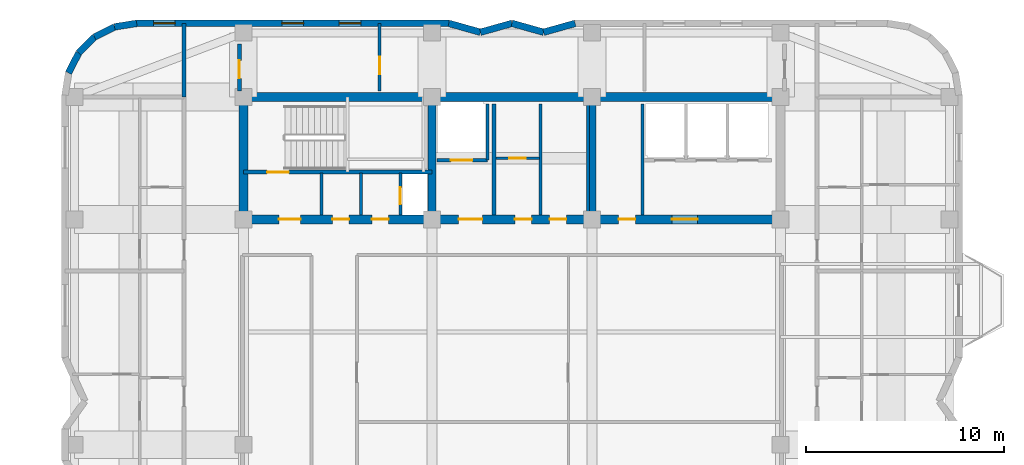
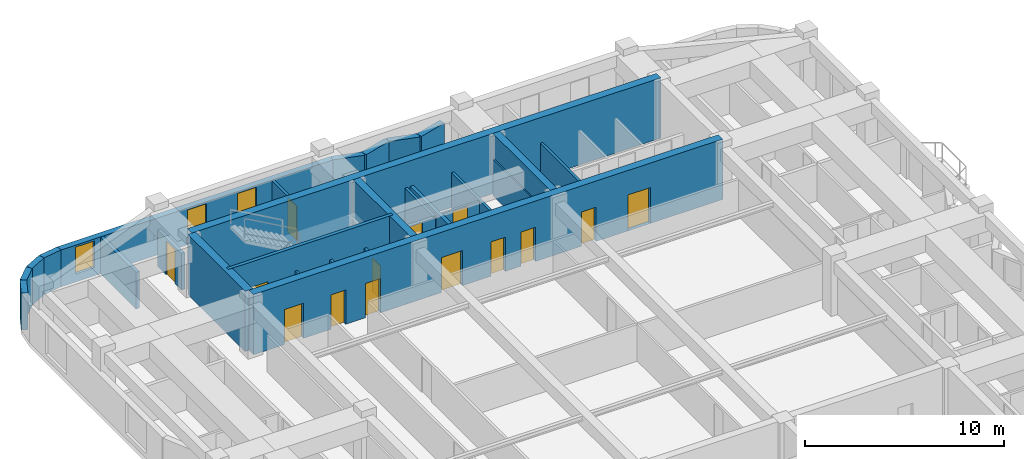
# One storey, part 6 of 9: 28 walls, 14 doors, 3 windows, 17 openings.
"""IFC4 building model written with IfcOpenShell, lengths in metres."""

from ifc_helpers import new_model, si_unit, direction, frame, frame_2d, origin, place, context, subcontext, project, spatial, rectangle, extrude, material, layer, layer_set, type_object, element, fill, save


model = new_model("IFC4")

# Units and contexts
model_context = context("Model", 3, precision=1e-05, world=origin(), true_north=direction((0.0, 1.0)))
body_context = subcontext(model_context, "Body", "Model", "MODEL_VIEW")
ifc_project = project(units=[si_unit("LENGTHUNIT", "METRE"), si_unit("AREAUNIT", "SQUARE_METRE"), si_unit("VOLUMEUNIT", "CUBIC_METRE"), si_unit("PLANEANGLEUNIT", "RADIAN"), si_unit("MASSUNIT", "GRAM", prefix="KILO")], contexts=[model_context])

# Site, building, storey
site_placement = place(None, origin())
site = spatial("IfcSite", under=ifc_project, at=site_placement, CompositionType="ELEMENT")
building_placement = place(site_placement, origin())
building = spatial("IfcBuilding", under=site, at=building_placement, Name="Svetorya Sky Lyceum", CompositionType="ELEMENT")
storey_placement = place(building_placement, frame((0.0, 0.0, 222.10009765625)))
storey = spatial("IfcBuildingStorey", under=building, at=storey_placement, Name="L55", CompositionType="ELEMENT", Elevation=222.10009765625)

# Walls
ifc_material_1 = material(Name="Concrete C40/50", Category="concrete")
ifc_layer_1 = layer(ifc_material_1, 0.39990234375)
ifc_layer_set_1 = layer_set([ifc_layer_1], Name="Concrete C40/50")
wall_type_1 = type_object("IfcWallType", Name="WL-CORE-400", PredefinedType="SHEAR", material=ifc_layer_set_1)
for number, where, z_axis, x_axis, name in (
    (1, (35.14990234375, 39.824951171875, 0.0), (0.0, 0.0, 1.0), (0.0, 1.0, 0.0), "L55 NC Internal Shear Web WEB1"),
    (2, (43.25, 39.824951171875, 0.0), (0.0, 0.0, 1.0), (0.0, 1.0, 0.0), "L55 NC Internal Shear Web WEB2"),
):
    element("IfcWall", number, at=place(storey_placement, frame(where, z_axis=z_axis, x_axis=x_axis)), inside=storey, type_object=wall_type_1, Name=name, PredefinedType="SHEAR", context=body_context, shape_type="SweptSolid", body=[
        extrude(rectangle(XDim=5.75, YDim=0.39990234375, at=frame_2d((2.875, 0.0))), origin(), (0.0, 0.0, 1.0), 3.699951171875),
    ])
ifc_material_2 = material(Name="Concrete C50/60", Category="concrete")
ifc_layer_2 = layer(ifc_material_2, 0.449951171875)
ifc_layer_set_2 = layer_set([ifc_layer_2], Name="Concrete C50/60")
wall_type_2 = type_object("IfcWallType", Name="WL-CORE-450", PredefinedType="SHEAR", material=ifc_layer_set_2)
wall_1_placement = place(storey_placement, frame((25.60009765625, 45.800048828125, 0.0), z_axis=(0.0, 0.0, 1.0), x_axis=(1.0, 0.0, 0.0)))
element("IfcWall", 3, at=wall_1_placement, inside=storey, type_object=wall_type_2, Name="L55 NC Outer Core Shear Wall", PredefinedType="SHEAR", context=body_context, shape_type="SweptSolid", body=[
    extrude(rectangle(XDim=27.199951171875, YDim=0.449951171875, at=frame_2d((13.60009765625, 0.0))), origin(), (0.0, 0.0, 1.0), 3.699951171875),
])
wall_2_placement = place(storey_placement, frame((25.60009765625, 39.824951171875, 0.0), z_axis=(0.0, 0.0, 1.0), x_axis=(0.0, 1.0, 0.0)))
element("IfcWall", 4, at=wall_2_placement, inside=storey, type_object=wall_type_2, Name="L55 NC West Core Shear Wall", PredefinedType="SHEAR", context=body_context, shape_type="SweptSolid", body=[
    extrude(rectangle(XDim=5.75, YDim=0.449951171875, at=frame_2d((2.875, 0.0))), origin(), (0.0, 0.0, 1.0), 3.699951171875),
])

# Wall, openings, doors
wall_3_placement = place(storey_placement, frame((52.800048828125, 39.60009765625, 0.0), z_axis=(0.0, 0.0, 1.0), x_axis=(-1.0, 0.0, 0.0)))
wall_3 = element("IfcWall", 5, at=wall_3_placement, inside=storey, type_object=wall_type_2, Name="L55 NC Inner Core Shear Wall", PredefinedType="SHEAR", context=body_context, shape_type="SweptSolid", body=[
    extrude(rectangle(XDim=27.199951171875, YDim=0.449951171875, at=frame_2d((13.60009765625, 0.0))), origin(), (0.0, 0.0, 1.0), 3.699951171875),
])
opening_1_placement = place(wall_3_placement, frame((24.300048828125, 0.0, 0.0)))
opening_1 = element("IfcOpeningElement", 6, at=opening_1_placement, cuts=wall_3, Name="Opening D-ST1", PredefinedType="OPENING", context=body_context, shape_type="SweptSolid", body=[
    extrude(rectangle(XDim=1.10009765625, YDim=2.14990234375, at=frame_2d((0.550048828125, 1.074951171875))), frame((0.0, 0.23486328125, 0.0), z_axis=(0.0, -1.0, 0.0), x_axis=(1.0, 0.0, 0.0)), (0.0, 0.0, 1.0), 0.469970703125),
])
opening_2_placement = place(wall_3_placement, frame((21.85009765625, 0.0, 0.0)))
opening_2 = element("IfcOpeningElement", 7, at=opening_2_placement, cuts=wall_3, Name="Opening D-CWC1", PredefinedType="OPENING", context=body_context, shape_type="SweptSolid", body=[
    extrude(rectangle(XDim=0.85009765625, YDim=2.10009765625, at=frame_2d((0.425048828125, 1.050048828125))), frame((0.0, 0.23486328125, 0.0), z_axis=(0.0, -1.0, 0.0), x_axis=(1.0, 0.0, 0.0)), (0.0, 0.0, 1.0), 0.469970703125),
])
opening_3_placement = place(wall_3_placement, frame((19.85009765625, 0.0, 0.0)))
opening_3 = element("IfcOpeningElement", 8, at=opening_3_placement, cuts=wall_3, Name="Opening D-CWC1", PredefinedType="OPENING", context=body_context, shape_type="SweptSolid", body=[
    extrude(rectangle(XDim=0.85009765625, YDim=2.10009765625, at=frame_2d((0.425048828125, 1.050048828125))), frame((0.0, 0.23486328125, 0.0), z_axis=(0.0, -1.0, 0.0), x_axis=(1.0, 0.0, 0.0)), (0.0, 0.0, 1.0), 0.469970703125),
])
opening_4_placement = place(wall_3_placement, frame((15.10009765625, 0.0, 0.0)))
opening_4 = element("IfcOpeningElement", 9, at=opening_4_placement, cuts=wall_3, Name="Opening D-FL1", PredefinedType="OPENING", context=body_context, shape_type="SweptSolid", body=[
    extrude(rectangle(XDim=1.199951171875, YDim=2.14990234375, at=frame_2d((0.60009765625, 1.074951171875))), frame((0.0, 0.23486328125, 0.0), z_axis=(0.0, -1.0, 0.0), x_axis=(1.0, 0.0, 0.0)), (0.0, 0.0, 1.0), 0.469970703125),
])
opening_5_placement = place(wall_3_placement, frame((12.60009765625, 0.0, 0.0)))
opening_5 = element("IfcOpeningElement", 10, at=opening_5_placement, cuts=wall_3, Name="Opening D-CWC1", PredefinedType="OPENING", context=body_context, shape_type="SweptSolid", body=[
    extrude(rectangle(XDim=0.85009765625, YDim=2.10009765625, at=frame_2d((0.425048828125, 1.050048828125))), frame((0.0, 0.23486328125, 0.0), z_axis=(0.0, -1.0, 0.0), x_axis=(1.0, 0.0, 0.0)), (0.0, 0.0, 1.0), 0.469970703125),
])
opening_6_placement = place(wall_3_placement, frame((10.85009765625, 0.0, 0.0)))
opening_6 = element("IfcOpeningElement", 11, at=opening_6_placement, cuts=wall_3, Name="Opening D-CWC1", PredefinedType="OPENING", context=body_context, shape_type="SweptSolid", body=[
    extrude(rectangle(XDim=0.85009765625, YDim=2.10009765625, at=frame_2d((0.425048828125, 1.050048828125))), frame((0.0, 0.23486328125, 0.0), z_axis=(0.0, -1.0, 0.0), x_axis=(1.0, 0.0, 0.0)), (0.0, 0.0, 1.0), 0.469970703125),
])
opening_7_placement = place(wall_3_placement, frame((7.35009765625, 0.0, 0.0)))
opening_7 = element("IfcOpeningElement", 12, at=opening_7_placement, cuts=wall_3, Name="Opening D-CWC1", PredefinedType="OPENING", context=body_context, shape_type="SweptSolid", body=[
    extrude(rectangle(XDim=0.85009765625, YDim=2.10009765625, at=frame_2d((0.425048828125, 1.050048828125))), frame((0.0, 0.23486328125, 0.0), z_axis=(0.0, -1.0, 0.0), x_axis=(1.0, 0.0, 0.0)), (0.0, 0.0, 1.0), 0.469970703125),
])
opening_8_placement = place(wall_3_placement, frame((4.199951171875, 0.0, 0.0)))
opening_8 = element("IfcOpeningElement", 13, at=opening_8_placement, cuts=wall_3, Name="Opening D-LB1", PredefinedType="OPENING", context=body_context, shape_type="SweptSolid", body=[
    extrude(rectangle(XDim=1.300048828125, YDim=2.199951171875, at=frame_2d((0.64990234375, 1.10009765625))), frame((0.0, 0.23486328125, 0.0), z_axis=(0.0, -1.0, 0.0), x_axis=(1.0, 0.0, 0.0)), (0.0, 0.0, 1.0), 0.469970703125),
])
ifc_material_3 = material(Name="Fire-rated galvanized steel core service closet door", Category="steel")
door_type_1 = type_object("IfcDoorType", Name="DR-CWET-850", OperationType="SINGLE_SWING_LEFT", PredefinedType="DOOR", material=ifc_material_3)
door_1_placement = place(opening_2_placement, origin())
door_1 = element("IfcDoor", 14, at=door_1_placement, inside=storey, type_object=door_type_1, Name="L55 North Cleaner Door", OperationType="SINGLE_SWING_RIGHT", OverallHeight=2.10009765625, OverallWidth=0.85009765625, PredefinedType="DOOR", context=body_context, shape_type="SweptSolid", body=[
    extrude(rectangle(XDim=0.85009765625, YDim=2.10009765625, at=frame_2d((0.425048828125, 1.050048828125))), frame((0.0, 0.02490234375, 0.0), z_axis=(0.0, -1.0, 0.0), x_axis=(1.0, 0.0, 0.0)), (0.0, 0.0, 1.0), 0.050048828125),
])
fill(opening_2, door_1)
door_2_placement = place(opening_3_placement, origin())
door_2 = element("IfcDoor", 15, at=door_2_placement, inside=storey, type_object=door_type_1, Name="L55 North Meter Door", OperationType="SINGLE_SWING_LEFT", OverallHeight=2.10009765625, OverallWidth=0.85009765625, PredefinedType="DOOR", context=body_context, shape_type="SweptSolid", body=[
    extrude(rectangle(XDim=0.85009765625, YDim=2.10009765625, at=frame_2d((0.425048828125, 1.050048828125))), frame((0.0, 0.02490234375, 0.0), z_axis=(0.0, -1.0, 0.0), x_axis=(1.0, 0.0, 0.0)), (0.0, 0.0, 1.0), 0.050048828125),
])
fill(opening_3, door_2)
door_3_placement = place(opening_5_placement, origin())
door_3 = element("IfcDoor", 16, at=door_3_placement, inside=storey, type_object=door_type_1, Name="L55 Cleaner Vestibule Door", OperationType="SINGLE_SWING_LEFT", OverallHeight=2.10009765625, OverallWidth=0.85009765625, PredefinedType="DOOR", context=body_context, shape_type="SweptSolid", body=[
    extrude(rectangle(XDim=0.85009765625, YDim=2.10009765625, at=frame_2d((0.425048828125, 1.050048828125))), frame((0.0, 0.02490234375, 0.0), z_axis=(0.0, -1.0, 0.0), x_axis=(1.0, 0.0, 0.0)), (0.0, 0.0, 1.0), 0.050048828125),
])
fill(opening_5, door_3)
door_4_placement = place(opening_6_placement, origin())
door_4 = element("IfcDoor", 17, at=door_4_placement, inside=storey, type_object=door_type_1, Name="L55 Upper Pram Store Door", OperationType="SINGLE_SWING_RIGHT", OverallHeight=2.10009765625, OverallWidth=0.85009765625, PredefinedType="DOOR", context=body_context, shape_type="SweptSolid", body=[
    extrude(rectangle(XDim=0.85009765625, YDim=2.10009765625, at=frame_2d((0.425048828125, 1.050048828125))), frame((0.0, 0.02490234375, 0.0), z_axis=(0.0, -1.0, 0.0), x_axis=(1.0, 0.0, 0.0)), (0.0, 0.0, 1.0), 0.050048828125),
])
fill(opening_6, door_4)
door_5_placement = place(opening_7_placement, origin())
door_5 = element("IfcDoor", 18, at=door_5_placement, inside=storey, type_object=door_type_1, Name="L55 High-Zone Utility Room Door", OperationType="SINGLE_SWING_LEFT", OverallHeight=2.10009765625, OverallWidth=0.85009765625, PredefinedType="DOOR", context=body_context, shape_type="SweptSolid", body=[
    extrude(rectangle(XDim=0.85009765625, YDim=2.10009765625, at=frame_2d((0.425048828125, 1.050048828125))), frame((0.0, 0.02490234375, 0.0), z_axis=(0.0, -1.0, 0.0), x_axis=(1.0, 0.0, 0.0)), (0.0, 0.0, 1.0), 0.050048828125),
])
fill(opening_7, door_5)
ifc_material_4 = material(Name="Powder-coated insulated galvanized stair fire door")
door_type_2 = type_object("IfcDoorType", Name="DR-FIRE-1100", OperationType="SINGLE_SWING_LEFT", PredefinedType="DOOR", material=ifc_material_4)
door_6_placement = place(opening_1_placement, origin())
door_6 = element("IfcDoor", 19, at=door_6_placement, inside=storey, type_object=door_type_2, Name="L55 North Stair Airlock Door", OperationType="SINGLE_SWING_LEFT", OverallHeight=2.14990234375, OverallWidth=1.10009765625, PredefinedType="DOOR", context=body_context, shape_type="SweptSolid", body=[
    extrude(rectangle(XDim=1.10009765625, YDim=2.14990234375, at=frame_2d((0.550048828125, 1.074951171875))), frame((0.0, 0.02490234375, 0.0), z_axis=(0.0, -1.0, 0.0), x_axis=(1.0, 0.0, 0.0)), (0.0, 0.0, 1.0), 0.050048828125),
])
fill(opening_1, door_6)
ifc_material_5 = material(Name="Powder-coated insulated galvanized fire door")
door_type_3 = type_object("IfcDoorType", Name="DR-FIRE-1200", OperationType="SINGLE_SWING_LEFT", PredefinedType="DOOR", material=ifc_material_5)
door_7_placement = place(opening_4_placement, origin())
door_7 = element("IfcDoor", 20, at=door_7_placement, inside=storey, type_object=door_type_3, Name="L55 North Firefighting Lift Lobby Door", OperationType="SINGLE_SWING_RIGHT", OverallHeight=2.14990234375, OverallWidth=1.199951171875, PredefinedType="DOOR", context=body_context, shape_type="SweptSolid", body=[
    extrude(rectangle(XDim=1.199951171875, YDim=2.14990234375, at=frame_2d((0.60009765625, 1.074951171875))), frame((0.0, 0.02490234375, 0.0), z_axis=(0.0, -1.0, 0.0), x_axis=(1.0, 0.0, 0.0)), (0.0, 0.0, 1.0), 0.050048828125),
])
fill(opening_4, door_7)
ifc_material_6 = material(Name="Glazed fire-rated aluminium lobby door", Category="aluminium")
door_type_4 = type_object("IfcDoorType", Name="DR-LOB-1300", OperationType="SINGLE_SWING_LEFT", PredefinedType="DOOR", material=ifc_material_6)
door_8_placement = place(opening_8_placement, origin())
door_8 = element("IfcDoor", 21, at=door_8_placement, inside=storey, type_object=door_type_4, Name="L55 North Passenger Lift Lobby Door", OperationType="SINGLE_SWING_LEFT", OverallHeight=2.199951171875, OverallWidth=1.300048828125, PredefinedType="DOOR", context=body_context, shape_type="SweptSolid", body=[
    extrude(rectangle(XDim=1.300048828125, YDim=2.199951171875, at=frame_2d((0.64990234375, 1.10009765625))), frame((0.0, 0.02490234375, 0.0), z_axis=(0.0, -1.0, 0.0), x_axis=(1.0, 0.0, 0.0)), (0.0, 0.0, 1.0), 0.050048828125),
])
fill(opening_8, door_8)

# Walls
ifc_material_7 = material(Name="Putilovo limestone rainscreen on autoclaved cellular masonry", Category="masonry")
ifc_layer_3 = layer(ifc_material_7, 0.340087890625)
ifc_layer_set_3 = layer_set([ifc_layer_3], Name="Putilovo limestone rainscreen on autoclaved cellular masonry")
wall_type_3 = type_object("IfcWallType", Name="WL-EXT-340", PredefinedType="SOLIDWALL", material=ifc_layer_set_3)
wall_4_placement = place(storey_placement, frame((42.39990234375, 49.530029296875, 0.0), z_axis=(0.0, 0.0, 1.0), x_axis=(-0.962652136636, -0.270741322725, 0.0)))
element("IfcWall", 22, at=wall_4_placement, inside=storey, type_object=wall_type_3, Name="L55 Limestone Exterior Wall 30M", PredefinedType="SOLIDWALL", context=body_context, shape_type="SweptSolid", body=[
    extrude(rectangle(XDim=1.661865234375, YDim=0.340087890625, at=frame_2d((0.8310546875, 0.0))), origin(), (0.0, 0.0, 1.0), 2.260009765625),
])
wall_5_placement = place(storey_placement, frame((40.800048828125, 49.080078125, 0.0), z_axis=(0.0, 0.0, 1.0), x_axis=(-0.962662902433, 0.270703040766, 0.0)))
element("IfcWall", 23, at=wall_5_placement, inside=storey, type_object=wall_type_3, Name="L55 Limestone Exterior Wall 31M", PredefinedType="SOLIDWALL", context=body_context, shape_type="SweptSolid", body=[
    extrude(rectangle(XDim=1.662109375, YDim=0.340087890625, at=frame_2d((0.8310546875, 0.0))), origin(), (0.0, 0.0, 1.0), 2.260009765625),
])
wall_6_placement = place(storey_placement, frame((39.199951171875, 49.530029296875, 0.0), z_axis=(0.0, 0.0, 1.0), x_axis=(-0.962652136636, -0.270741322725, 0.0)))
element("IfcWall", 24, at=wall_6_placement, inside=storey, type_object=wall_type_3, Name="L55 Limestone Exterior Wall 32M", PredefinedType="SOLIDWALL", context=body_context, shape_type="SweptSolid", body=[
    extrude(rectangle(XDim=1.661865234375, YDim=0.340087890625, at=frame_2d((0.8310546875, 0.0))), origin(), (0.0, 0.0, 1.0), 2.260009765625),
])
wall_7_placement = place(storey_placement, frame((37.60009765625, 49.080078125, 0.0), z_axis=(0.0, 0.0, 1.0), x_axis=(-0.962662902433, 0.270703040766, 0.0)))
element("IfcWall", 25, at=wall_7_placement, inside=storey, type_object=wall_type_3, Name="L55 Limestone Exterior Wall 33M", PredefinedType="SOLIDWALL", context=body_context, shape_type="SweptSolid", body=[
    extrude(rectangle(XDim=1.662109375, YDim=0.340087890625, at=frame_2d((0.8310546875, 0.0))), origin(), (0.0, 0.0, 1.0), 2.260009765625),
])

# Wall, openings, windows
wall_8_placement = place(storey_placement, frame((36.0, 49.530029296875, 0.0), z_axis=(0.0, 0.0, 1.0), x_axis=(-1.0, 0.0, 0.0)))
wall_8 = element("IfcWall", 26, at=wall_8_placement, inside=storey, type_object=wall_type_3, Name="L55 Limestone Exterior Wall 34M", PredefinedType="SOLIDWALL", context=body_context, shape_type="SweptSolid", body=[
    extrude(rectangle(XDim=15.800048828125, YDim=0.340087890625, at=frame_2d((7.89990234375, 0.0))), origin(), (0.0, 0.0, 1.0), 2.260009765625),
])
opening_9_placement = place(wall_8_placement, frame((4.449951171875, 0.0, 0.489990234375)))
opening_9 = element("IfcOpeningElement", 27, at=opening_9_placement, cuts=wall_8, Name="Opening W-R3", PredefinedType="OPENING", context=body_context, shape_type="SweptSolid", body=[
    extrude(rectangle(XDim=1.10009765625, YDim=1.64990234375, at=frame_2d((0.550048828125, 0.824951171875))), frame((0.0, 0.179931640625, 0.0), z_axis=(0.0, -1.0, 0.0), x_axis=(1.0, 0.0, 0.0)), (0.0, 0.0, 1.0), 0.360107421875),
])
opening_10_placement = place(wall_8_placement, frame((7.35009765625, 0.0, 0.489990234375)))
opening_10 = element("IfcOpeningElement", 28, at=opening_10_placement, cuts=wall_8, Name="Opening W-R3", PredefinedType="OPENING", context=body_context, shape_type="SweptSolid", body=[
    extrude(rectangle(XDim=1.10009765625, YDim=1.64990234375, at=frame_2d((0.550048828125, 0.824951171875))), frame((0.0, 0.179931640625, 0.0), z_axis=(0.0, -1.0, 0.0), x_axis=(1.0, 0.0, 0.0)), (0.0, 0.0, 1.0), 0.360107421875),
])
opening_11_placement = place(wall_8_placement, frame((13.85009765625, 0.0, 0.489990234375)))
opening_11 = element("IfcOpeningElement", 29, at=opening_11_placement, cuts=wall_8, Name="Opening W-R3", PredefinedType="OPENING", context=body_context, shape_type="SweptSolid", body=[
    extrude(rectangle(XDim=1.10009765625, YDim=1.64990234375, at=frame_2d((0.550048828125, 0.824951171875))), frame((0.0, 0.179931640625, 0.0), z_axis=(0.0, -1.0, 0.0), x_axis=(1.0, 0.0, 0.0)), (0.0, 0.0, 1.0), 0.360107421875),
])
ifc_material_8 = material(Name="Thermally broken aluminium frame with triple low-E glazing", Category="aluminium")
window_type = type_object("IfcWindowType", Name="WN-RES-110", PartitioningType="SINGLE_PANEL", PredefinedType="WINDOW", material=ifc_material_8)
window_1_placement = place(opening_9_placement, origin())
window_1 = element("IfcWindow", 30, at=window_1_placement, inside=storey, type_object=window_type, Name="L55 Facade Window W-R3.34M.1", OverallHeight=1.64990234375, OverallWidth=1.10009765625, PartitioningType="SINGLE_PANEL", PredefinedType="WINDOW", context=body_context, shape_type="SweptSolid", body=[
    extrude(rectangle(XDim=1.10009765625, YDim=1.64990234375, at=frame_2d((0.550048828125, 0.824951171875))), frame((0.0, 0.030029296875, 0.0), z_axis=(0.0, -1.0, 0.0), x_axis=(1.0, 0.0, 0.0)), (0.0, 0.0, 1.0), 0.06005859375),
])
fill(opening_9, window_1)
window_2_placement = place(opening_10_placement, origin())
window_2 = element("IfcWindow", 31, at=window_2_placement, inside=storey, type_object=window_type, Name="L55 Facade Window W-R3.34M.2", OverallHeight=1.64990234375, OverallWidth=1.10009765625, PartitioningType="SINGLE_PANEL", PredefinedType="WINDOW", context=body_context, shape_type="SweptSolid", body=[
    extrude(rectangle(XDim=1.10009765625, YDim=1.64990234375, at=frame_2d((0.550048828125, 0.824951171875))), frame((0.0, 0.030029296875, 0.0), z_axis=(0.0, -1.0, 0.0), x_axis=(1.0, 0.0, 0.0)), (0.0, 0.0, 1.0), 0.06005859375),
])
fill(opening_10, window_2)
window_3_placement = place(opening_11_placement, origin())
window_3 = element("IfcWindow", 32, at=window_3_placement, inside=storey, type_object=window_type, Name="L55 Facade Window W-R3.34M.3", OverallHeight=1.64990234375, OverallWidth=1.10009765625, PartitioningType="SINGLE_PANEL", PredefinedType="WINDOW", context=body_context, shape_type="SweptSolid", body=[
    extrude(rectangle(XDim=1.10009765625, YDim=1.64990234375, at=frame_2d((0.550048828125, 0.824951171875))), frame((0.0, 0.030029296875, 0.0), z_axis=(0.0, -1.0, 0.0), x_axis=(1.0, 0.0, 0.0)), (0.0, 0.0, 1.0), 0.06005859375),
])
fill(opening_11, window_3)

# Walls
wall_9_placement = place(storey_placement, frame((20.199951171875, 49.530029296875, 0.0), z_axis=(0.0, 0.0, 1.0), x_axis=(-0.987675651954, -0.156514556949, 0.0)))
element("IfcWall", 33, at=wall_9_placement, inside=storey, type_object=wall_type_3, Name="L55 Limestone Exterior Wall 35M", PredefinedType="SOLIDWALL", context=body_context, shape_type="SweptSolid", body=[
    extrude(rectangle(XDim=1.135498046875, YDim=0.340087890625, at=frame_2d((0.56787109375, 0.0))), origin(), (0.0, 0.0, 1.0), 2.260009765625),
])
for number, where, z_axis, x_axis, name in (
    (34, (19.078369140625, 49.352294921875, 0.0), (0.0, 0.0, 1.0), (-0.891005044957, -0.453993402883, 0.0), "L55 Limestone Exterior Wall 36M"),
    (35, (18.06640625, 48.836669921875, 0.0), (0.0, 0.0, 1.0), (-0.707214252388, -0.706999293649, 0.0), "L55 Limestone Exterior Wall 37M"),
    (36, (17.26318359375, 48.03369140625, 0.0), (0.0, 0.0, 1.0), (-0.453822724105, -0.891091990249, 0.0), "L55 Limestone Exterior Wall 38M"),
):
    element("IfcWall", number, at=place(storey_placement, frame(where, z_axis=z_axis, x_axis=x_axis)), inside=storey, type_object=wall_type_3, Name=name, PredefinedType="SOLIDWALL", context=body_context, shape_type="SweptSolid", body=[
        extrude(rectangle(XDim=1.1357421875, YDim=0.340087890625, at=frame_2d((0.56787109375, 0.0))), origin(), (0.0, 0.0, 1.0), 2.260009765625),
    ])

# Wall, opening, door
ifc_material_9 = material(Name="Twin-stud galvanized framing with double fireboard", Category="gypsum")
ifc_layer_4 = layer(ifc_material_9, 0.1201171875)
ifc_layer_set_4 = layer_set([ifc_layer_4], Name="Twin-stud galvanized framing with double fireboard")
wall_type_4 = type_object("IfcWallType", Name="WL-PART-120", PredefinedType="PARTITIONING", material=ifc_layer_set_4)
wall_10_placement = place(storey_placement, frame((38.39990234375, 42.699951171875, 0.0), z_axis=(0.0, 0.0, 1.0), x_axis=(1.0, 0.0, 0.0)))
wall_10 = element("IfcWall", 37, at=wall_10_placement, inside=storey, type_object=wall_type_4, Name="L55 Interior Partition NC-FPM-H", PredefinedType="PARTITIONING", context=body_context, shape_type="SweptSolid", body=[
    extrude(rectangle(XDim=2.2001953125, YDim=0.1201171875, at=frame_2d((1.10009765625, 0.0))), origin(), (0.0, 0.0, 1.0), 2.179931640625),
])
opening_12_placement = place(wall_10_placement, frame((0.64990234375, 0.0, 0.0)))
opening_12 = element("IfcOpeningElement", 38, at=opening_12_placement, cuts=wall_10, Name="Opening D-CWC1", PredefinedType="OPENING", context=body_context, shape_type="SweptSolid", body=[
    extrude(rectangle(XDim=0.85009765625, YDim=2.10009765625, at=frame_2d((0.425048828125, 1.050048828125))), frame((0.0, 0.070068359375, 0.0), z_axis=(0.0, -1.0, 0.0), x_axis=(1.0, 0.0, 0.0)), (0.0, 0.0, 1.0), 0.14013671875),
])
door_9_placement = place(opening_12_placement, origin())
door_9 = element("IfcDoor", 39, at=door_9_placement, inside=storey, type_object=door_type_1, Name="L55 Rear IT Closet Door", OperationType="SINGLE_SWING_LEFT", OverallHeight=2.10009765625, OverallWidth=0.85009765625, PredefinedType="DOOR", context=body_context, shape_type="SweptSolid", body=[
    extrude(rectangle(XDim=0.85009765625, YDim=2.10009765625, at=frame_2d((0.425048828125, 1.050048828125))), frame((0.0, 0.02490234375, 0.0), z_axis=(0.0, -1.0, 0.0), x_axis=(1.0, 0.0, 0.0)), (0.0, 0.0, 1.0), 0.050048828125),
])
fill(opening_12, door_9)

ifc_material_10 = material(Name="Autoclaved cellular masonry blockwork with acoustic render", Category="masonry")
ifc_layer_5 = layer(ifc_material_10, 0.14990234375)
ifc_layer_set_5 = layer_set([ifc_layer_5], Name="Autoclaved cellular masonry blockwork with acoustic render")
wall_type_5 = type_object("IfcWallType", Name="WL-PART-150", PredefinedType="PARTITIONING", material=ifc_layer_set_5)
wall_11_placement = place(storey_placement, frame((33.550048828125, 39.820068359375, 0.0), z_axis=(0.0, 0.0, 1.0), x_axis=(0.0, 1.0, 0.0)))
wall_11 = element("IfcWall", 40, at=wall_11_placement, inside=storey, type_object=wall_type_5, Name="L55 Interior Partition NC-RSRW", PredefinedType="PARTITIONING", context=body_context, shape_type="SweptSolid", body=[
    extrude(rectangle(XDim=2.1298828125, YDim=0.14990234375, at=frame_2d((1.06494140625, 0.0))), origin(), (0.0, 0.0, 1.0), 2.239990234375),
])
opening_13_placement = place(wall_11_placement, frame((0.550048828125, 0.0, 0.0)))
opening_13 = element("IfcOpeningElement", 41, at=opening_13_placement, cuts=wall_11, Name="Opening D-SH1", PredefinedType="OPENING", context=body_context, shape_type="SweptSolid", body=[
    extrude(rectangle(XDim=0.85009765625, YDim=2.050048828125, at=frame_2d((0.425048828125, 1.02490234375))), frame((0.0, 0.0849609375, 0.0), z_axis=(0.0, -1.0, 0.0), x_axis=(1.0, 0.0, 0.0)), (0.0, 0.0, 1.0), 0.169921875),
])
ifc_material_11 = material(Name="Insulated galvanized riser inspection fire door")
door_type_5 = type_object("IfcDoorType", Name="DR-SHFT-850", OperationType="SINGLE_SWING_LEFT", PredefinedType="TRAPDOOR", material=ifc_material_11)
door_10_placement = place(opening_13_placement, origin())
door_10 = element("IfcDoor", 42, at=door_10_placement, inside=storey, type_object=door_type_5, Name="L55 North Riser Access Door", OperationType="SINGLE_SWING_LEFT", OverallHeight=2.050048828125, OverallWidth=0.85009765625, PredefinedType="TRAPDOOR", context=body_context, shape_type="SweptSolid", body=[
    extrude(rectangle(XDim=0.85009765625, YDim=2.050048828125, at=frame_2d((0.425048828125, 1.02490234375))), frame((0.0, 0.02490234375, 0.0), z_axis=(0.0, -1.0, 0.0), x_axis=(1.0, 0.0, 0.0)), (0.0, 0.0, 1.0), 0.050048828125),
])
fill(opening_13, door_10)

# Walls
for number, where, z_axis, x_axis, name in (
    (43, (29.550048828125, 39.820068359375, 0.0), (0.0, 0.0, 1.0), (0.0, 1.0, 0.0), "L55 Interior Partition NC-NWD1"),
    (44, (31.550048828125, 39.820068359375, 0.0), (0.0, 0.0, 1.0), (0.0, 1.0, 0.0), "L55 Interior Partition NC-NWD2"),
):
    element("IfcWall", number, at=place(storey_placement, frame(where, z_axis=z_axis, x_axis=x_axis)), inside=storey, type_object=wall_type_5, Name=name, PredefinedType="PARTITIONING", context=body_context, shape_type="SweptSolid", body=[
        extrude(rectangle(XDim=2.1298828125, YDim=0.14990234375, at=frame_2d((1.06494140625, 0.0))), origin(), (0.0, 0.0, 1.0), 2.239990234375),
    ])
wall_12_placement = place(storey_placement, frame((37.949951171875, 42.60009765625, 0.0), z_axis=(0.0, 0.0, 1.0), x_axis=(0.0, 1.0, 0.0)))
element("IfcWall", 45, at=wall_12_placement, inside=storey, type_object=wall_type_5, Name="L55 Interior Partition NC-FL1SIDE", PredefinedType="PARTITIONING", context=body_context, shape_type="SweptSolid", body=[
    extrude(rectangle(XDim=2.849853515625, YDim=0.14990234375, at=frame_2d((1.4248046875, 0.0))), origin(), (0.0, 0.0, 1.0), 2.239990234375),
])
for number, where, z_axis, x_axis, name in (
    (46, (43.050048828125, 39.820068359375, 0.0), (0.0, 0.0, 1.0), (0.0, 1.0, 0.0), "L55 Interior Partition NC-FPM-END"),
    (47, (40.64990234375, 39.820068359375, 0.0), (0.0, 0.0, 1.0), (0.0, 1.0, 0.0), "L55 Interior Partition NC-FPM-V"),
    (48, (45.800048828125, 39.820068359375, 0.0), (0.0, 0.0, 1.0), (0.0, 1.0, 0.0), "L55 Interior Partition NC-PM3-FULL"),
):
    element("IfcWall", number, at=place(storey_placement, frame(where, z_axis=z_axis, x_axis=x_axis)), inside=storey, type_object=wall_type_5, Name=name, PredefinedType="PARTITIONING", context=body_context, shape_type="SweptSolid", body=[
        extrude(rectangle(XDim=5.6298828125, YDim=0.14990234375, at=frame_2d((2.81494140625, 0.0))), origin(), (0.0, 0.0, 1.0), 2.239990234375),
    ])

# Wall, opening, door
wall_13_placement = place(storey_placement, frame((32.5, 46.10009765625, 0.0), z_axis=(0.0, 0.0, 1.0), x_axis=(0.0, 1.0, 0.0)))
wall_13 = element("IfcWall", 49, at=wall_13_placement, inside=storey, type_object=wall_type_5, Name="L55 Interior Partition N-D1", PredefinedType="PARTITIONING", context=body_context, shape_type="SweptSolid", body=[
    extrude(rectangle(XDim=3.429931640625, YDim=0.14990234375, at=frame_2d((1.71484375, 0.0))), origin(), (0.0, 0.0, 1.0), 2.239990234375),
])
opening_14_placement = place(wall_13_placement, frame((0.85009765625, 0.0, 0.0)))
opening_14 = element("IfcOpeningElement", 50, at=opening_14_placement, cuts=wall_13, Name="Opening D-RM1", PredefinedType="OPENING", context=body_context, shape_type="SweptSolid", body=[
    extrude(rectangle(XDim=0.89990234375, YDim=2.10009765625, at=frame_2d((0.449951171875, 1.050048828125))), frame((0.0, 0.0849609375, 0.0), z_axis=(0.0, -1.0, 0.0), x_axis=(1.0, 0.0, 0.0)), (0.0, 0.0, 1.0), 0.169921875),
])
ifc_material_12 = material(Name="Lacquered birch veneer internal door")
door_type_6 = type_object("IfcDoorType", Name="DR-INT-900", OperationType="SINGLE_SWING_LEFT", PredefinedType="DOOR", material=ifc_material_12)
door_11_placement = place(opening_14_placement, origin())
door_11 = element("IfcDoor", 51, at=door_11_placement, inside=storey, type_object=door_type_6, Name="L55 North Store Door", OperationType="SINGLE_SWING_RIGHT", OverallHeight=2.10009765625, OverallWidth=0.89990234375, PredefinedType="DOOR", context=body_context, shape_type="SweptSolid", body=[
    extrude(rectangle(XDim=0.89990234375, YDim=2.10009765625, at=frame_2d((0.449951171875, 1.050048828125))), frame((0.0, 0.02490234375, 0.0), z_axis=(0.0, -1.0, 0.0), x_axis=(1.0, 0.0, 0.0)), (0.0, 0.0, 1.0), 0.050048828125),
])
fill(opening_14, door_11)

ifc_material_13 = material(Name="Autoclaved cellular masonry blockwork with gypsum plaster", Category="masonry")
ifc_layer_6 = layer(ifc_material_13, 0.199951171875)
ifc_layer_set_6 = layer_set([ifc_layer_6], Name="Autoclaved cellular masonry blockwork with gypsum plaster")
wall_type_6 = type_object("IfcWallType", Name="WL-PART-200", PredefinedType="PARTITIONING", material=ifc_layer_set_6)
wall_14_placement = place(storey_placement, frame((37.949951171875, 42.60009765625, 0.0), z_axis=(0.0, 0.0, 1.0), x_axis=(-1.0, 0.0, 0.0)))
wall_14 = element("IfcWall", 52, at=wall_14_placement, inside=storey, type_object=wall_type_6, Name="L55 Interior Partition NC-FL1W", PredefinedType="PARTITIONING", context=body_context, shape_type="SweptSolid", body=[
    extrude(rectangle(XDim=2.550048828125, YDim=0.199951171875, at=frame_2d((1.27490234375, 0.0))), origin(), (0.0, 0.0, 1.0), 2.179931640625),
])
opening_15_placement = place(wall_14_placement, frame((0.75, 0.0, 0.0)))
opening_15 = element("IfcOpeningElement", 53, at=opening_15_placement, cuts=wall_14, Name="Opening LD-FL", PredefinedType="OPENING", context=body_context, shape_type="SweptSolid", body=[
    extrude(rectangle(XDim=1.10009765625, YDim=2.14990234375, at=frame_2d((0.550048828125, 1.074951171875))), frame((0.0, 0.10986328125, 0.0), z_axis=(0.0, -1.0, 0.0), x_axis=(1.0, 0.0, 0.0)), (0.0, 0.0, 1.0), 0.219970703125),
])
ifc_material_14 = material(Name="Fire-rated stainless AISI 304 firefighting lift landing door")
door_type_7 = type_object("IfcDoorType", Name="DR-LIFT-1100", OperationType="SLIDING_TO_LEFT", PredefinedType="DOOR", material=ifc_material_14)
door_12_placement = place(opening_15_placement, origin())
door_12 = element("IfcDoor", 54, at=door_12_placement, inside=storey, type_object=door_type_7, Name="L55 Firefighting Lift FL1 Landing Door", OperationType="SLIDING_TO_LEFT", OverallHeight=2.14990234375, OverallWidth=1.10009765625, PredefinedType="DOOR", context=body_context, shape_type="SweptSolid", body=[
    extrude(rectangle(XDim=1.10009765625, YDim=2.14990234375, at=frame_2d((0.550048828125, 1.074951171875))), frame((0.0, 0.02490234375, 0.0), z_axis=(0.0, -1.0, 0.0), x_axis=(1.0, 0.0, 0.0)), (0.0, 0.0, 1.0), 0.050048828125),
])
fill(opening_15, door_12)

# Walls
wall_15_placement = place(storey_placement, frame((38.280029296875, 39.820068359375, 0.0), z_axis=(0.0, 0.0, 1.0), x_axis=(0.0, 1.0, 0.0)))
element("IfcWall", 55, at=wall_15_placement, inside=storey, type_object=wall_type_6, Name="L55 Interior Partition NC-FFLDIV", PredefinedType="PARTITIONING", context=body_context, shape_type="SweptSolid", body=[
    extrude(rectangle(XDim=5.6298828125, YDim=0.199951171875, at=frame_2d((2.81494140625, 0.0))), origin(), (0.0, 0.0, 1.0), 2.239990234375),
])
wall_16_placement = place(storey_placement, frame((22.60009765625, 45.800048828125, 0.0), z_axis=(0.0, 0.0, 1.0), x_axis=(0.0, 1.0, 0.0)))
element("IfcWall", 56, at=wall_16_placement, inside=storey, type_object=wall_type_6, Name="L55 Interior Partition WC-NW-END", PredefinedType="PARTITIONING", context=body_context, shape_type="SweptSolid", body=[
    extrude(rectangle(XDim=3.72998046875, YDim=0.199951171875, at=frame_2d((1.864990234375, 0.0))), origin(), (0.0, 0.0, 1.0), 2.239990234375),
])

# Wall, opening, door
wall_17_placement = place(storey_placement, frame((25.39990234375, 46.10009765625, 0.0), z_axis=(0.0, 0.0, 1.0), x_axis=(0.0, 1.0, 0.0)))
wall_17 = element("IfcWall", 57, at=wall_17_placement, inside=storey, type_object=wall_type_6, Name="L55 Interior Partition N-EW", PredefinedType="PARTITIONING", context=body_context, shape_type="SweptSolid", body=[
    extrude(rectangle(XDim=2.3798828125, YDim=0.199951171875, at=frame_2d((1.18994140625, 0.0))), origin(), (0.0, 0.0, 1.0), 2.239990234375),
])
opening_16_placement = place(wall_17_placement, frame((0.64990234375, 0.0, 0.0)))
opening_16 = element("IfcOpeningElement", 58, at=opening_16_placement, cuts=wall_17, Name="Opening D-RM1", PredefinedType="OPENING", context=body_context, shape_type="SweptSolid", body=[
    extrude(rectangle(XDim=0.89990234375, YDim=2.10009765625, at=frame_2d((0.449951171875, 1.050048828125))), frame((0.0, 0.10986328125, 0.0), z_axis=(0.0, -1.0, 0.0), x_axis=(1.0, 0.0, 0.0)), (0.0, 0.0, 1.0), 0.219970703125),
])
door_13_placement = place(opening_16_placement, origin())
door_13 = element("IfcDoor", 59, at=door_13_placement, inside=storey, type_object=door_type_6, Name="L55 North Study Door", OperationType="SINGLE_SWING_RIGHT", OverallHeight=2.10009765625, OverallWidth=0.89990234375, PredefinedType="DOOR", context=body_context, shape_type="SweptSolid", body=[
    extrude(rectangle(XDim=0.89990234375, YDim=2.10009765625, at=frame_2d((0.449951171875, 1.050048828125))), frame((0.0, 0.02490234375, 0.0), z_axis=(0.0, -1.0, 0.0), x_axis=(1.0, 0.0, 0.0)), (0.0, 0.0, 1.0), 0.050048828125),
])
fill(opening_16, door_13)

ifc_layer_7 = layer(ifc_material_2, 0.199951171875)
ifc_layer_set_7 = layer_set([ifc_layer_7], Name="Concrete C50/60")
wall_type_7 = type_object("IfcWallType", Name="WL-SHW-200", PredefinedType="SHEAR", material=ifc_layer_set_7)
wall_18_placement = place(storey_placement, frame((35.14990234375, 42.0, 0.0), z_axis=(0.0, 0.0, 1.0), x_axis=(-1.0, 0.0, 0.0)))
wall_18 = element("IfcWall", 60, at=wall_18_placement, inside=storey, type_object=wall_type_7, Name="L55 Structural Stair Shaft Wall NC-STW", PredefinedType="SHEAR", context=body_context, shape_type="SweptSolid", body=[
    extrude(rectangle(XDim=9.5498046875, YDim=0.199951171875, at=frame_2d((4.77490234375, 0.0))), origin(), (0.0, 0.0, 1.0), 3.699951171875),
])
opening_17_placement = place(wall_18_placement, frame((7.25, 0.0, 0.0)))
opening_17 = element("IfcOpeningElement", 61, at=opening_17_placement, cuts=wall_18, Name="Opening D-ST1", PredefinedType="OPENING", context=body_context, shape_type="SweptSolid", body=[
    extrude(rectangle(XDim=1.10009765625, YDim=2.14990234375, at=frame_2d((0.550048828125, 1.074951171875))), frame((0.0, 0.10986328125, 0.0), z_axis=(0.0, -1.0, 0.0), x_axis=(1.0, 0.0, 0.0)), (0.0, 0.0, 1.0), 0.219970703125),
])
door_14_placement = place(opening_17_placement, origin())
door_14 = element("IfcDoor", 62, at=door_14_placement, inside=storey, type_object=door_type_2, Name="L55 Stair ST-N Vestibule Fire Door", OperationType="SINGLE_SWING_RIGHT", OverallHeight=2.14990234375, OverallWidth=1.10009765625, PredefinedType="DOOR", context=body_context, shape_type="SweptSolid", body=[
    extrude(rectangle(XDim=1.10009765625, YDim=2.14990234375, at=frame_2d((0.550048828125, 1.074951171875))), frame((0.0, 0.02490234375, 0.0), z_axis=(0.0, -1.0, 0.0), x_axis=(1.0, 0.0, 0.0)), (0.0, 0.0, 1.0), 0.050048828125),
])
fill(opening_17, door_14)

save(model, "model.ifc")
